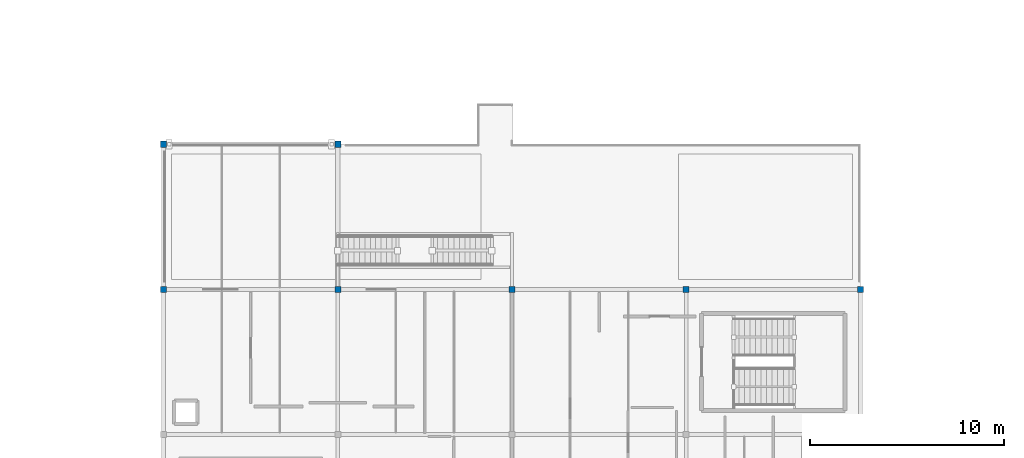
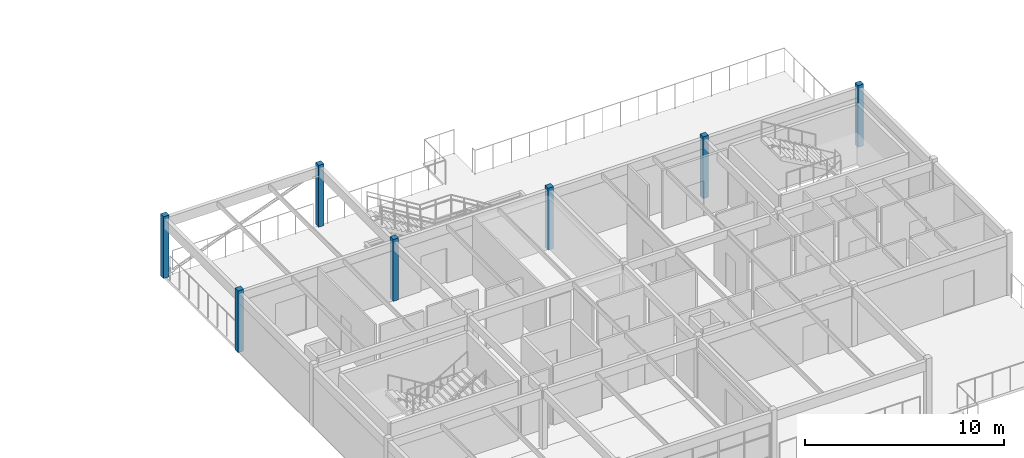
# One storey, part 2 of 24: 7 columns.
"""IFC4 building model written with IfcOpenShell, lengths in metres."""

from ifc_helpers import new_model, si_unit, direction, frame, origin, origin_2d, place, context, subcontext, project, spatial, rectangle, extrude, material, material_profile, profile_set, type_object, element, save


model = new_model("IFC4")

# Units and contexts
model_context = context("Model", 3, precision=1e-05, world=origin(), true_north=direction((0.0, 1.0)))
body_context = subcontext(model_context, "Body", "Model", "MODEL_VIEW")
ifc_project = project(units=[si_unit("LENGTHUNIT", "METRE"), si_unit("AREAUNIT", "SQUARE_METRE"), si_unit("VOLUMEUNIT", "CUBIC_METRE"), si_unit("PLANEANGLEUNIT", "RADIAN"), si_unit("MASSUNIT", "GRAM", prefix="KILO")], contexts=[model_context])

# Site, building, storey
site_placement = place(None, origin())
site = spatial("IfcSite", under=ifc_project, at=site_placement, CompositionType="ELEMENT")
building_placement = place(site_placement, origin())
building = spatial("IfcBuilding", under=site, at=building_placement, Name="Marnridge Secondary College", CompositionType="ELEMENT")
storey_placement = place(building_placement, frame((0.0, 0.0, 16.10009765625)))
storey = spatial("IfcBuildingStorey", under=building, at=storey_placement, Name="L04", CompositionType="ELEMENT", Elevation=16.10009765625)

# Columns
ifc_material = material(Name="Glulam timber GL21", Category="wood")
ifc_material_profile = material_profile(ifc_material, rectangle(XDim=0.31494140625, YDim=0.31494140625, at=origin_2d()), Name="GL21 315x315")
ifc_profile_set = profile_set([ifc_material_profile], Name="Glulam timber GL21")
column_type = type_object("IfcColumnType", Name="CL-GL315-EXT", PredefinedType="COLUMN", material=ifc_profile_set)
for number, where, z_axis, x_axis, name in (
    (1, (54.0, 67.5, 0.0), (0.0, 0.0, 1.0), (1.0, 0.0, 0.0), "Column C-L04-0390"),
    (2, (63.0, 67.5, 0.0), (0.0, 0.0, 1.0), (1.0, 0.0, 0.0), "Column C-L04-0397"),
    (3, (72.0, 67.5, 0.0), (0.0, 0.0, 1.0), (1.0, 0.0, 0.0), "Column C-L04-0404"),
    (4, (81.0, 67.5, 0.0), (0.0, 0.0, 1.0), (1.0, 0.0, 0.0), "Column C-L04-0411"),
    (5, (90.0, 67.5, 0.0), (0.0, 0.0, 1.0), (1.0, 0.0, 0.0), "Column C-L04-0418"),
    (6, (54.0, 75.0, 0.0), (0.0, 0.0, 1.0), (1.0, 0.0, 0.0), "Column C-L04-0434"),
    (7, (63.0, 75.0, 0.0), (0.0, 0.0, 1.0), (1.0, 0.0, 0.0), "Column C-L04-0439"),
):
    element("IfcColumn", number, at=place(storey_placement, frame(where, z_axis=z_axis, x_axis=x_axis)), inside=storey, type_object=column_type, Name=name, PredefinedType="COLUMN", context=body_context, shape_type="SweptSolid", body=[
        extrude(rectangle(XDim=0.31494140625, YDim=0.31494140625, at=origin_2d()), origin(), (0.0, 0.0, 1.0), 3.7998046875),
    ])

save(model, "model.ifc")
